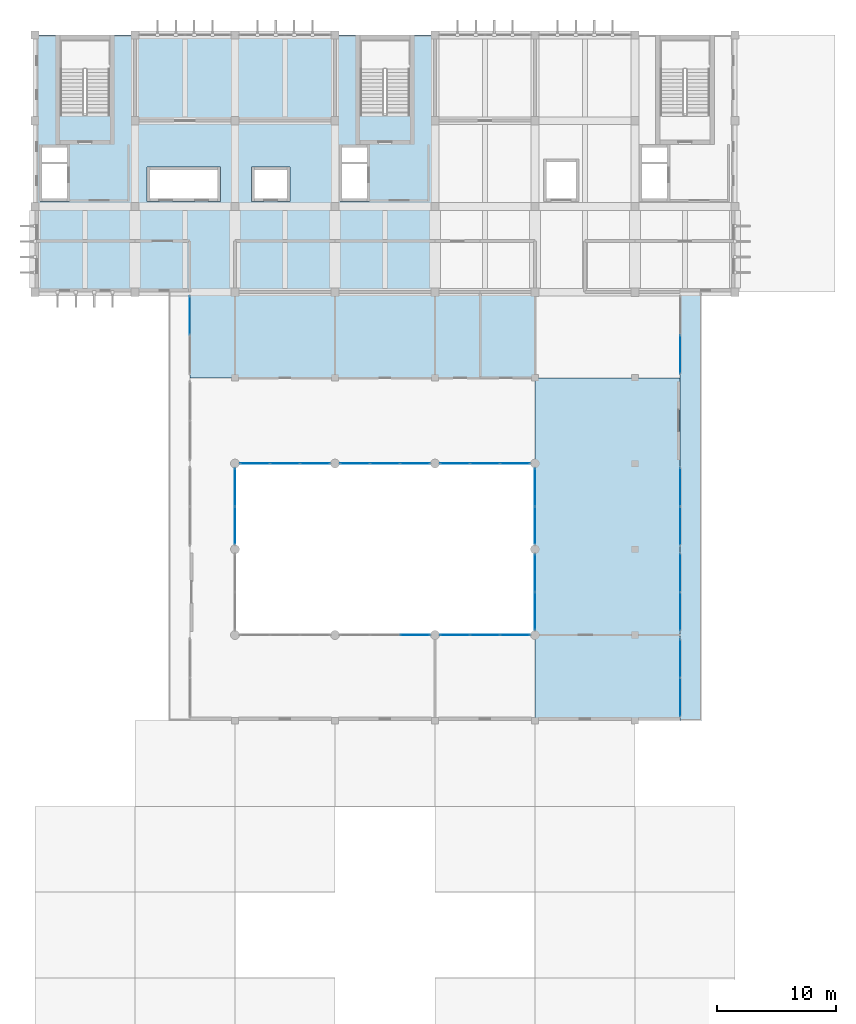
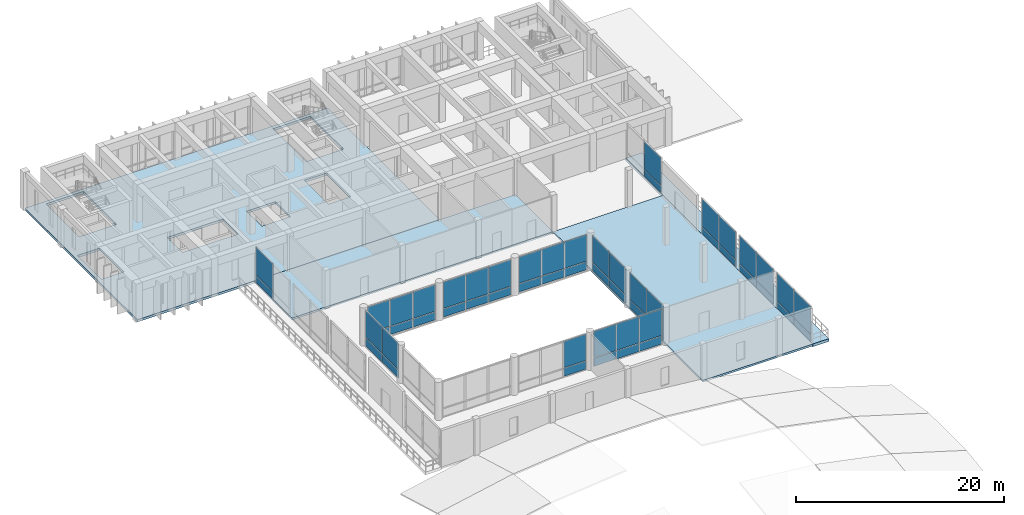
# One storey, part 9 of 17: 54 plates, 4 slabs, 13 elements without a shape of their own.
"""IFC4 building model written with IfcOpenShell, lengths in metres."""

from ifc_helpers import new_model, si_unit, direction, frame, origin, origin_2d, place, context, subcontext, project, spatial, polyline, rectangle, outline, extrude, material, layer, layer_set, type_object, element, aggregate, save


model = new_model("IFC4")

# Units and contexts
model_context = context("Model", 3, precision=1e-05, world=origin(), true_north=direction((0.0, 1.0)))
body_context = subcontext(model_context, "Body", "Model", "MODEL_VIEW")
ifc_project = project(units=[si_unit("LENGTHUNIT", "METRE"), si_unit("AREAUNIT", "SQUARE_METRE"), si_unit("VOLUMEUNIT", "CUBIC_METRE"), si_unit("PLANEANGLEUNIT", "RADIAN"), si_unit("MASSUNIT", "GRAM", prefix="KILO")], contexts=[model_context])

# Site, building, storey
site_placement = place(None, origin())
site = spatial("IfcSite", under=ifc_project, at=site_placement, CompositionType="ELEMENT")
building_placement = place(site_placement, origin())
building = spatial("IfcBuilding", under=site, at=building_placement, Name="Kenerak Square Central Library", CompositionType="ELEMENT")
storey_placement = place(building_placement, frame((0.0, 0.0, 23.360107421875)))
storey = spatial("IfcBuildingStorey", under=building, at=storey_placement, Name="L05", CompositionType="ELEMENT", Elevation=23.360107421875)

# Curtain wall, plates
ifc_material_1 = material(Name="Intumescent fire-resisting glazing EI 60", Category="glass")
curtain_wall_type_1 = type_object("IfcCurtainWallType", Name="Curtain Wall CW-AT60-76x42 7650x4255", PredefinedType="USERDEFINED", material=ifc_material_1)
curtain_wall_1_placement = place(storey_placement, origin())
curtain_wall_1 = element("IfcCurtainWall", 1, at=curtain_wall_1_placement, inside=storey, type_object=curtain_wall_type_1, Name="Atrium Fire-Rated Glazed Screen CW-AT60-76x42 L05 0188", ObjectType="CURTAIN WALL", PredefinedType="USERDEFINED")
ifc_layer_1 = layer(ifc_material_1, 0.0419921875)
ifc_layer_set_1 = layer_set([ifc_layer_1], Name="Intumescent fire-resisting glazing EI 60")
plate_type_1 = type_object("IfcPlateType", Name="Fire-Rated EI60 Atrium Glazing Panel CP-42", PredefinedType="CURTAIN_PANEL", material=ifc_layer_set_1)
plate_1_placement = place(storey_placement, frame((90.33251953125, 60.0, 0.06982421875), z_axis=(0.0, 0.0, 1.0), x_axis=(1.0, 0.0, 0.0)))
plate_1 = element("IfcPlate", 2, at=plate_1_placement, type_object=plate_type_1, Name="CW-AT60-76x42 Panel 3.1", PredefinedType="CURTAIN_PANEL", context=body_context, shape_type="SweptSolid", body=[
    extrude(rectangle(XDim=2.445068359375, YDim=0.0419921875, at=origin_2d()), origin(), (0.0, 0.0, 1.0), 0.945068359375),
])
plate_2_placement = place(storey_placement, frame((90.33251953125, 60.0, 1.0849609375), z_axis=(0.0, 0.0, 1.0), x_axis=(1.0, 0.0, 0.0)))
plate_2 = element("IfcPlate", 3, at=plate_2_placement, type_object=plate_type_1, Name="CW-AT60-76x42 Panel 3.2", PredefinedType="CURTAIN_PANEL", context=body_context, shape_type="SweptSolid", body=[
    extrude(rectangle(XDim=2.445068359375, YDim=0.0419921875, at=origin_2d()), origin(), (0.0, 0.0, 1.0), 3.10009765625),
])
aggregate(curtain_wall_1, [plate_1, plate_2])

curtain_wall_2_placement = place(storey_placement, origin())
curtain_wall_2 = element("IfcCurtainWall", 4, at=curtain_wall_2_placement, inside=storey, type_object=curtain_wall_type_1, Name="Atrium Fire-Rated Glazed Screen CW-AT60-76x42 L05 0189", ObjectType="CURTAIN WALL", PredefinedType="USERDEFINED")
plate_3_placement = place(storey_placement, frame((93.66748046875, 60.0, 0.06982421875), z_axis=(0.0, 0.0, 1.0), x_axis=(1.0, 0.0, 0.0)))
plate_3 = element("IfcPlate", 5, at=plate_3_placement, type_object=plate_type_1, Name="CW-AT60-76x42 Panel 1.1", PredefinedType="CURTAIN_PANEL", context=body_context, shape_type="SweptSolid", body=[
    extrude(rectangle(XDim=2.445068359375, YDim=0.0419921875, at=origin_2d()), origin(), (0.0, 0.0, 1.0), 0.945068359375),
])
plate_4_placement = place(storey_placement, frame((93.66748046875, 60.0, 1.0849609375), z_axis=(0.0, 0.0, 1.0), x_axis=(1.0, 0.0, 0.0)))
plate_4 = element("IfcPlate", 6, at=plate_4_placement, type_object=plate_type_1, Name="CW-AT60-76x42 Panel 1.2", PredefinedType="CURTAIN_PANEL", context=body_context, shape_type="SweptSolid", body=[
    extrude(rectangle(XDim=2.445068359375, YDim=0.0419921875, at=origin_2d()), origin(), (0.0, 0.0, 1.0), 3.10009765625),
])
plate_5_placement = place(storey_placement, frame((96.199951171875, 60.0, 0.06982421875), z_axis=(0.0, 0.0, 1.0), x_axis=(1.0, 0.0, 0.0)))
plate_5 = element("IfcPlate", 7, at=plate_5_placement, type_object=plate_type_1, Name="CW-AT60-76x42 Panel 2.1", PredefinedType="CURTAIN_PANEL", context=body_context, shape_type="SweptSolid", body=[
    extrude(rectangle(XDim=2.47998046875, YDim=0.0419921875, at=origin_2d()), origin(), (0.0, 0.0, 1.0), 0.945068359375),
])
plate_6_placement = place(storey_placement, frame((96.199951171875, 60.0, 1.0849609375), z_axis=(0.0, 0.0, 1.0), x_axis=(1.0, 0.0, 0.0)))
plate_6 = element("IfcPlate", 8, at=plate_6_placement, type_object=plate_type_1, Name="CW-AT60-76x42 Panel 2.2", PredefinedType="CURTAIN_PANEL", context=body_context, shape_type="SweptSolid", body=[
    extrude(rectangle(XDim=2.47998046875, YDim=0.0419921875, at=origin_2d()), origin(), (0.0, 0.0, 1.0), 3.10009765625),
])
plate_7_placement = place(storey_placement, frame((98.732421875, 60.0, 0.06982421875), z_axis=(0.0, 0.0, 1.0), x_axis=(1.0, 0.0, 0.0)))
plate_7 = element("IfcPlate", 9, at=plate_7_placement, type_object=plate_type_1, Name="CW-AT60-76x42 Panel 3.1", PredefinedType="CURTAIN_PANEL", context=body_context, shape_type="SweptSolid", body=[
    extrude(rectangle(XDim=2.445068359375, YDim=0.0419921875, at=origin_2d()), origin(), (0.0, 0.0, 1.0), 0.945068359375),
])
plate_8_placement = place(storey_placement, frame((98.732421875, 60.0, 1.0849609375), z_axis=(0.0, 0.0, 1.0), x_axis=(1.0, 0.0, 0.0)))
plate_8 = element("IfcPlate", 10, at=plate_8_placement, type_object=plate_type_1, Name="CW-AT60-76x42 Panel 3.2", PredefinedType="CURTAIN_PANEL", context=body_context, shape_type="SweptSolid", body=[
    extrude(rectangle(XDim=2.445068359375, YDim=0.0419921875, at=origin_2d()), origin(), (0.0, 0.0, 1.0), 3.10009765625),
])
aggregate(curtain_wall_2, [plate_3, plate_4, plate_5, plate_6, plate_7, plate_8])

curtain_wall_type_2 = type_object("IfcCurtainWallType", Name="Curtain Wall CW-AT60-64x42 6450x4255", PredefinedType="USERDEFINED", material=ifc_material_1)
curtain_wall_3_placement = place(storey_placement, origin())
curtain_wall_3 = element("IfcCurtainWall", 11, at=curtain_wall_3_placement, inside=storey, type_object=curtain_wall_type_2, Name="Atrium Fire-Rated Glazed Screen CW-AT60-64x42 L05 0190", ObjectType="CURTAIN WALL", PredefinedType="USERDEFINED")
plate_9_placement = place(storey_placement, frame((100.39990234375, 62.0048828125, 0.06982421875), z_axis=(0.0, 0.0, 1.0), x_axis=(0.0, 1.0, 0.0)))
plate_9 = element("IfcPlate", 12, at=plate_9_placement, type_object=plate_type_1, Name="CW-AT60-64x42 Panel 1.1", PredefinedType="CURTAIN_PANEL", context=body_context, shape_type="SweptSolid", body=[
    extrude(rectangle(XDim=3.1201171875, YDim=0.0419921875, at=origin_2d()), origin(), (0.0, 0.0, 1.0), 0.945068359375),
])
plate_10_placement = place(storey_placement, frame((100.39990234375, 62.0048828125, 1.0849609375), z_axis=(0.0, 0.0, 1.0), x_axis=(0.0, 1.0, 0.0)))
plate_10 = element("IfcPlate", 13, at=plate_10_placement, type_object=plate_type_1, Name="CW-AT60-64x42 Panel 1.2", PredefinedType="CURTAIN_PANEL", context=body_context, shape_type="SweptSolid", body=[
    extrude(rectangle(XDim=3.1201171875, YDim=0.0419921875, at=origin_2d()), origin(), (0.0, 0.0, 1.0), 3.10009765625),
])
plate_11_placement = place(storey_placement, frame((100.39990234375, 65.195068359375, 0.06982421875), z_axis=(0.0, 0.0, 1.0), x_axis=(0.0, 1.0, 0.0)))
plate_11 = element("IfcPlate", 14, at=plate_11_placement, type_object=plate_type_1, Name="CW-AT60-64x42 Panel 2.1", PredefinedType="CURTAIN_PANEL", context=body_context, shape_type="SweptSolid", body=[
    extrude(rectangle(XDim=3.1201171875, YDim=0.0419921875, at=origin_2d()), origin(), (0.0, 0.0, 1.0), 0.945068359375),
])
plate_12_placement = place(storey_placement, frame((100.39990234375, 65.195068359375, 1.0849609375), z_axis=(0.0, 0.0, 1.0), x_axis=(0.0, 1.0, 0.0)))
plate_12 = element("IfcPlate", 15, at=plate_12_placement, type_object=plate_type_1, Name="CW-AT60-64x42 Panel 2.2", PredefinedType="CURTAIN_PANEL", context=body_context, shape_type="SweptSolid", body=[
    extrude(rectangle(XDim=3.1201171875, YDim=0.0419921875, at=origin_2d()), origin(), (0.0, 0.0, 1.0), 3.10009765625),
])
aggregate(curtain_wall_3, [plate_9, plate_10, plate_11, plate_12])

curtain_wall_4_placement = place(storey_placement, origin())
curtain_wall_4 = element("IfcCurtainWall", 16, at=curtain_wall_4_placement, inside=storey, type_object=curtain_wall_type_2, Name="Atrium Fire-Rated Glazed Screen CW-AT60-64x42 L05 0191", ObjectType="CURTAIN WALL", PredefinedType="USERDEFINED")
plate_13_placement = place(storey_placement, frame((100.39990234375, 69.205078125, 0.06982421875), z_axis=(0.0, 0.0, 1.0), x_axis=(0.0, 1.0, 0.0)))
plate_13 = element("IfcPlate", 17, at=plate_13_placement, type_object=plate_type_1, Name="CW-AT60-64x42 Panel 1.1", PredefinedType="CURTAIN_PANEL", context=body_context, shape_type="SweptSolid", body=[
    extrude(rectangle(XDim=3.1201171875, YDim=0.0419921875, at=origin_2d()), origin(), (0.0, 0.0, 1.0), 0.945068359375),
])
plate_14_placement = place(storey_placement, frame((100.39990234375, 69.205078125, 1.0849609375), z_axis=(0.0, 0.0, 1.0), x_axis=(0.0, 1.0, 0.0)))
plate_14 = element("IfcPlate", 18, at=plate_14_placement, type_object=plate_type_1, Name="CW-AT60-64x42 Panel 1.2", PredefinedType="CURTAIN_PANEL", context=body_context, shape_type="SweptSolid", body=[
    extrude(rectangle(XDim=3.1201171875, YDim=0.0419921875, at=origin_2d()), origin(), (0.0, 0.0, 1.0), 3.10009765625),
])
plate_15_placement = place(storey_placement, frame((100.39990234375, 72.39501953125, 0.06982421875), z_axis=(0.0, 0.0, 1.0), x_axis=(0.0, 1.0, 0.0)))
plate_15 = element("IfcPlate", 19, at=plate_15_placement, type_object=plate_type_1, Name="CW-AT60-64x42 Panel 2.1", PredefinedType="CURTAIN_PANEL", context=body_context, shape_type="SweptSolid", body=[
    extrude(rectangle(XDim=3.1201171875, YDim=0.0419921875, at=origin_2d()), origin(), (0.0, 0.0, 1.0), 0.945068359375),
])
plate_16_placement = place(storey_placement, frame((100.39990234375, 72.39501953125, 1.0849609375), z_axis=(0.0, 0.0, 1.0), x_axis=(0.0, 1.0, 0.0)))
plate_16 = element("IfcPlate", 20, at=plate_16_placement, type_object=plate_type_1, Name="CW-AT60-64x42 Panel 2.2", PredefinedType="CURTAIN_PANEL", context=body_context, shape_type="SweptSolid", body=[
    extrude(rectangle(XDim=3.1201171875, YDim=0.0419921875, at=origin_2d()), origin(), (0.0, 0.0, 1.0), 3.10009765625),
])
aggregate(curtain_wall_4, [plate_13, plate_14, plate_15, plate_16])

curtain_wall_5_placement = place(storey_placement, origin())
curtain_wall_5 = element("IfcCurtainWall", 21, at=curtain_wall_5_placement, inside=storey, type_object=curtain_wall_type_1, Name="Atrium Fire-Rated Glazed Screen CW-AT60-76x42 L05 0192", ObjectType="CURTAIN WALL", PredefinedType="USERDEFINED")
plate_17_placement = place(storey_placement, frame((98.732421875, 74.39990234375, 0.06982421875), z_axis=(0.0, 0.0, 1.0), x_axis=(-1.0, 0.0, 0.0)))
plate_17 = element("IfcPlate", 22, at=plate_17_placement, type_object=plate_type_1, Name="CW-AT60-76x42 Panel 1.1", PredefinedType="CURTAIN_PANEL", context=body_context, shape_type="SweptSolid", body=[
    extrude(rectangle(XDim=2.445068359375, YDim=0.0419921875, at=origin_2d()), origin(), (0.0, 0.0, 1.0), 0.945068359375),
])
plate_18_placement = place(storey_placement, frame((98.732421875, 74.39990234375, 1.0849609375), z_axis=(0.0, 0.0, 1.0), x_axis=(-1.0, 0.0, 0.0)))
plate_18 = element("IfcPlate", 23, at=plate_18_placement, type_object=plate_type_1, Name="CW-AT60-76x42 Panel 1.2", PredefinedType="CURTAIN_PANEL", context=body_context, shape_type="SweptSolid", body=[
    extrude(rectangle(XDim=2.445068359375, YDim=0.0419921875, at=origin_2d()), origin(), (0.0, 0.0, 1.0), 3.10009765625),
])
plate_19_placement = place(storey_placement, frame((96.199951171875, 74.39990234375, 0.06982421875), z_axis=(0.0, 0.0, 1.0), x_axis=(-1.0, 0.0, 0.0)))
plate_19 = element("IfcPlate", 24, at=plate_19_placement, type_object=plate_type_1, Name="CW-AT60-76x42 Panel 2.1", PredefinedType="CURTAIN_PANEL", context=body_context, shape_type="SweptSolid", body=[
    extrude(rectangle(XDim=2.47998046875, YDim=0.0419921875, at=origin_2d()), origin(), (0.0, 0.0, 1.0), 0.945068359375),
])
plate_20_placement = place(storey_placement, frame((96.199951171875, 74.39990234375, 1.0849609375), z_axis=(0.0, 0.0, 1.0), x_axis=(-1.0, 0.0, 0.0)))
plate_20 = element("IfcPlate", 25, at=plate_20_placement, type_object=plate_type_1, Name="CW-AT60-76x42 Panel 2.2", PredefinedType="CURTAIN_PANEL", context=body_context, shape_type="SweptSolid", body=[
    extrude(rectangle(XDim=2.47998046875, YDim=0.0419921875, at=origin_2d()), origin(), (0.0, 0.0, 1.0), 3.10009765625),
])
plate_21_placement = place(storey_placement, frame((93.66748046875, 74.39990234375, 0.06982421875), z_axis=(0.0, 0.0, 1.0), x_axis=(-1.0, 0.0, 0.0)))
plate_21 = element("IfcPlate", 26, at=plate_21_placement, type_object=plate_type_1, Name="CW-AT60-76x42 Panel 3.1", PredefinedType="CURTAIN_PANEL", context=body_context, shape_type="SweptSolid", body=[
    extrude(rectangle(XDim=2.445068359375, YDim=0.0419921875, at=origin_2d()), origin(), (0.0, 0.0, 1.0), 0.945068359375),
])
plate_22_placement = place(storey_placement, frame((93.66748046875, 74.39990234375, 1.0849609375), z_axis=(0.0, 0.0, 1.0), x_axis=(-1.0, 0.0, 0.0)))
plate_22 = element("IfcPlate", 27, at=plate_22_placement, type_object=plate_type_1, Name="CW-AT60-76x42 Panel 3.2", PredefinedType="CURTAIN_PANEL", context=body_context, shape_type="SweptSolid", body=[
    extrude(rectangle(XDim=2.445068359375, YDim=0.0419921875, at=origin_2d()), origin(), (0.0, 0.0, 1.0), 3.10009765625),
])
aggregate(curtain_wall_5, [plate_17, plate_18, plate_19, plate_20, plate_21, plate_22])

curtain_wall_6_placement = place(storey_placement, origin())
curtain_wall_6 = element("IfcCurtainWall", 28, at=curtain_wall_6_placement, inside=storey, type_object=curtain_wall_type_1, Name="Atrium Fire-Rated Glazed Screen CW-AT60-76x42 L05 0193", ObjectType="CURTAIN WALL", PredefinedType="USERDEFINED")
plate_23_placement = place(storey_placement, frame((90.33251953125, 74.39990234375, 0.06982421875), z_axis=(0.0, 0.0, 1.0), x_axis=(-1.0, 0.0, 0.0)))
plate_23 = element("IfcPlate", 29, at=plate_23_placement, type_object=plate_type_1, Name="CW-AT60-76x42 Panel 1.1", PredefinedType="CURTAIN_PANEL", context=body_context, shape_type="SweptSolid", body=[
    extrude(rectangle(XDim=2.445068359375, YDim=0.0419921875, at=origin_2d()), origin(), (0.0, 0.0, 1.0), 0.945068359375),
])
plate_24_placement = place(storey_placement, frame((90.33251953125, 74.39990234375, 1.0849609375), z_axis=(0.0, 0.0, 1.0), x_axis=(-1.0, 0.0, 0.0)))
plate_24 = element("IfcPlate", 30, at=plate_24_placement, type_object=plate_type_1, Name="CW-AT60-76x42 Panel 1.2", PredefinedType="CURTAIN_PANEL", context=body_context, shape_type="SweptSolid", body=[
    extrude(rectangle(XDim=2.445068359375, YDim=0.0419921875, at=origin_2d()), origin(), (0.0, 0.0, 1.0), 3.10009765625),
])
plate_25_placement = place(storey_placement, frame((87.800048828125, 74.39990234375, 0.06982421875), z_axis=(0.0, 0.0, 1.0), x_axis=(-1.0, 0.0, 0.0)))
plate_25 = element("IfcPlate", 31, at=plate_25_placement, type_object=plate_type_1, Name="CW-AT60-76x42 Panel 2.1", PredefinedType="CURTAIN_PANEL", context=body_context, shape_type="SweptSolid", body=[
    extrude(rectangle(XDim=2.47998046875, YDim=0.0419921875, at=origin_2d()), origin(), (0.0, 0.0, 1.0), 0.945068359375),
])
plate_26_placement = place(storey_placement, frame((87.800048828125, 74.39990234375, 1.0849609375), z_axis=(0.0, 0.0, 1.0), x_axis=(-1.0, 0.0, 0.0)))
plate_26 = element("IfcPlate", 32, at=plate_26_placement, type_object=plate_type_1, Name="CW-AT60-76x42 Panel 2.2", PredefinedType="CURTAIN_PANEL", context=body_context, shape_type="SweptSolid", body=[
    extrude(rectangle(XDim=2.47998046875, YDim=0.0419921875, at=origin_2d()), origin(), (0.0, 0.0, 1.0), 3.10009765625),
])
plate_27_placement = place(storey_placement, frame((85.267578125, 74.39990234375, 0.06982421875), z_axis=(0.0, 0.0, 1.0), x_axis=(-1.0, 0.0, 0.0)))
plate_27 = element("IfcPlate", 33, at=plate_27_placement, type_object=plate_type_1, Name="CW-AT60-76x42 Panel 3.1", PredefinedType="CURTAIN_PANEL", context=body_context, shape_type="SweptSolid", body=[
    extrude(rectangle(XDim=2.445068359375, YDim=0.0419921875, at=origin_2d()), origin(), (0.0, 0.0, 1.0), 0.945068359375),
])
plate_28_placement = place(storey_placement, frame((85.267578125, 74.39990234375, 1.0849609375), z_axis=(0.0, 0.0, 1.0), x_axis=(-1.0, 0.0, 0.0)))
plate_28 = element("IfcPlate", 34, at=plate_28_placement, type_object=plate_type_1, Name="CW-AT60-76x42 Panel 3.2", PredefinedType="CURTAIN_PANEL", context=body_context, shape_type="SweptSolid", body=[
    extrude(rectangle(XDim=2.445068359375, YDim=0.0419921875, at=origin_2d()), origin(), (0.0, 0.0, 1.0), 3.10009765625),
])
aggregate(curtain_wall_6, [plate_23, plate_24, plate_25, plate_26, plate_27, plate_28])

curtain_wall_7_placement = place(storey_placement, origin())
curtain_wall_7 = element("IfcCurtainWall", 35, at=curtain_wall_7_placement, inside=storey, type_object=curtain_wall_type_1, Name="Atrium Fire-Rated Glazed Screen CW-AT60-76x42 L05 0194", ObjectType="CURTAIN WALL", PredefinedType="USERDEFINED")
plate_29_placement = place(storey_placement, frame((81.9326171875, 74.39990234375, 0.06982421875), z_axis=(0.0, 0.0, 1.0), x_axis=(-1.0, 0.0, 0.0)))
plate_29 = element("IfcPlate", 36, at=plate_29_placement, type_object=plate_type_1, Name="CW-AT60-76x42 Panel 1.1", PredefinedType="CURTAIN_PANEL", context=body_context, shape_type="SweptSolid", body=[
    extrude(rectangle(XDim=2.445068359375, YDim=0.0419921875, at=origin_2d()), origin(), (0.0, 0.0, 1.0), 0.945068359375),
])
plate_30_placement = place(storey_placement, frame((81.9326171875, 74.39990234375, 1.0849609375), z_axis=(0.0, 0.0, 1.0), x_axis=(-1.0, 0.0, 0.0)))
plate_30 = element("IfcPlate", 37, at=plate_30_placement, type_object=plate_type_1, Name="CW-AT60-76x42 Panel 1.2", PredefinedType="CURTAIN_PANEL", context=body_context, shape_type="SweptSolid", body=[
    extrude(rectangle(XDim=2.445068359375, YDim=0.0419921875, at=origin_2d()), origin(), (0.0, 0.0, 1.0), 3.10009765625),
])
plate_31_placement = place(storey_placement, frame((79.39990234375, 74.39990234375, 0.06982421875), z_axis=(0.0, 0.0, 1.0), x_axis=(-1.0, 0.0, 0.0)))
plate_31 = element("IfcPlate", 38, at=plate_31_placement, type_object=plate_type_1, Name="CW-AT60-76x42 Panel 2.1", PredefinedType="CURTAIN_PANEL", context=body_context, shape_type="SweptSolid", body=[
    extrude(rectangle(XDim=2.47998046875, YDim=0.0419921875, at=origin_2d()), origin(), (0.0, 0.0, 1.0), 0.945068359375),
])
plate_32_placement = place(storey_placement, frame((79.39990234375, 74.39990234375, 1.0849609375), z_axis=(0.0, 0.0, 1.0), x_axis=(-1.0, 0.0, 0.0)))
plate_32 = element("IfcPlate", 39, at=plate_32_placement, type_object=plate_type_1, Name="CW-AT60-76x42 Panel 2.2", PredefinedType="CURTAIN_PANEL", context=body_context, shape_type="SweptSolid", body=[
    extrude(rectangle(XDim=2.47998046875, YDim=0.0419921875, at=origin_2d()), origin(), (0.0, 0.0, 1.0), 3.10009765625),
])
plate_33_placement = place(storey_placement, frame((76.867431640625, 74.39990234375, 0.06982421875), z_axis=(0.0, 0.0, 1.0), x_axis=(-1.0, 0.0, 0.0)))
plate_33 = element("IfcPlate", 40, at=plate_33_placement, type_object=plate_type_1, Name="CW-AT60-76x42 Panel 3.1", PredefinedType="CURTAIN_PANEL", context=body_context, shape_type="SweptSolid", body=[
    extrude(rectangle(XDim=2.445068359375, YDim=0.0419921875, at=origin_2d()), origin(), (0.0, 0.0, 1.0), 0.945068359375),
])
plate_34_placement = place(storey_placement, frame((76.867431640625, 74.39990234375, 1.0849609375), z_axis=(0.0, 0.0, 1.0), x_axis=(-1.0, 0.0, 0.0)))
plate_34 = element("IfcPlate", 41, at=plate_34_placement, type_object=plate_type_1, Name="CW-AT60-76x42 Panel 3.2", PredefinedType="CURTAIN_PANEL", context=body_context, shape_type="SweptSolid", body=[
    extrude(rectangle(XDim=2.445068359375, YDim=0.0419921875, at=origin_2d()), origin(), (0.0, 0.0, 1.0), 3.10009765625),
])
aggregate(curtain_wall_7, [plate_29, plate_30, plate_31, plate_32, plate_33, plate_34])

curtain_wall_8_placement = place(storey_placement, origin())
curtain_wall_8 = element("IfcCurtainWall", 42, at=curtain_wall_8_placement, inside=storey, type_object=curtain_wall_type_2, Name="Atrium Fire-Rated Glazed Screen CW-AT60-64x42 L05 0195", ObjectType="CURTAIN WALL", PredefinedType="USERDEFINED")
plate_35_placement = place(storey_placement, frame((75.199951171875, 72.39501953125, 0.06982421875), z_axis=(0.0, 0.0, 1.0), x_axis=(0.0, -1.0, 0.0)))
plate_35 = element("IfcPlate", 43, at=plate_35_placement, type_object=plate_type_1, Name="CW-AT60-64x42 Panel 1.1", PredefinedType="CURTAIN_PANEL", context=body_context, shape_type="SweptSolid", body=[
    extrude(rectangle(XDim=3.1201171875, YDim=0.0419921875, at=origin_2d()), origin(), (0.0, 0.0, 1.0), 0.945068359375),
])
plate_36_placement = place(storey_placement, frame((75.199951171875, 72.39501953125, 1.0849609375), z_axis=(0.0, 0.0, 1.0), x_axis=(0.0, -1.0, 0.0)))
plate_36 = element("IfcPlate", 44, at=plate_36_placement, type_object=plate_type_1, Name="CW-AT60-64x42 Panel 1.2", PredefinedType="CURTAIN_PANEL", context=body_context, shape_type="SweptSolid", body=[
    extrude(rectangle(XDim=3.1201171875, YDim=0.0419921875, at=origin_2d()), origin(), (0.0, 0.0, 1.0), 3.10009765625),
])
plate_37_placement = place(storey_placement, frame((75.199951171875, 69.205078125, 0.06982421875), z_axis=(0.0, 0.0, 1.0), x_axis=(0.0, -1.0, 0.0)))
plate_37 = element("IfcPlate", 45, at=plate_37_placement, type_object=plate_type_1, Name="CW-AT60-64x42 Panel 2.1", PredefinedType="CURTAIN_PANEL", context=body_context, shape_type="SweptSolid", body=[
    extrude(rectangle(XDim=3.1201171875, YDim=0.0419921875, at=origin_2d()), origin(), (0.0, 0.0, 1.0), 0.945068359375),
])
plate_38_placement = place(storey_placement, frame((75.199951171875, 69.205078125, 1.0849609375), z_axis=(0.0, 0.0, 1.0), x_axis=(0.0, -1.0, 0.0)))
plate_38 = element("IfcPlate", 46, at=plate_38_placement, type_object=plate_type_1, Name="CW-AT60-64x42 Panel 2.2", PredefinedType="CURTAIN_PANEL", context=body_context, shape_type="SweptSolid", body=[
    extrude(rectangle(XDim=3.1201171875, YDim=0.0419921875, at=origin_2d()), origin(), (0.0, 0.0, 1.0), 3.10009765625),
])
aggregate(curtain_wall_8, [plate_35, plate_36, plate_37, plate_38])

# Slabs
ifc_material_2 = material(Name="Concrete C40/50", Category="concrete")
ifc_layer_2 = layer(ifc_material_2, 0.22509765625)
ifc_layer_set_2 = layer_set([ifc_layer_2], Name="Concrete C40/50")
slab_type_1 = type_object("IfcSlabType", Name="General Reading Room Slab FS-225 C40/50", PredefinedType="FLOOR", material=ifc_layer_set_2)
slab_1_placement = place(storey_placement, frame((0.0, 0.0, -0.22509765625)))
element("IfcSlab", 47, at=slab_1_placement, inside=storey, type_object=slab_type_1, Name="V4 Floor Slab L05 057", PredefinedType="FLOOR", context=body_context, shape_type="SweptSolid", body=[
    extrude(outline(polyline([(71.39990234375, 81.60009765625), (71.39990234375, 88.800048828125), (100.39990234375, 88.800048828125), (100.39990234375, 81.60009765625), (71.39990234375, 81.60009765625)])), origin(), (0.0, 0.0, 1.0), 0.22509765625),
])
slab_2_placement = place(storey_placement, frame((0.0, 0.0, -0.22509765625)))
element("IfcSlab", 48, at=slab_2_placement, inside=storey, type_object=slab_type_1, Name="V4 Floor Slab L05 058", PredefinedType="FLOOR", context=body_context, shape_type="SweptSolid", body=[
    extrude(outline(polyline([(100.39990234375, 81.60009765625), (112.60009765625, 81.60009765625), (112.60009765625, 52.800048828125), (100.39990234375, 52.800048828125), (100.39990234375, 60.0), (100.39990234375, 74.39990234375), (100.39990234375, 81.60009765625)])), origin(), (0.0, 0.0, 1.0), 0.22509765625),
])

# Curtain wall, plates
ifc_material_3 = material(Name="Anodised aluminium and solar-control low-E glazing", Category="aluminium")
curtain_wall_type_3 = type_object("IfcCurtainWallType", Name="Curtain Wall CW-V4-66x42 6600x4255", PredefinedType="USERDEFINED", material=ifc_material_3)
curtain_wall_9_placement = place(storey_placement, origin())
curtain_wall_9 = element("IfcCurtainWall", 49, at=curtain_wall_9_placement, inside=storey, type_object=curtain_wall_type_3, Name="Curtain Wall CW-V4-66x42 L05 0154", ObjectType="CURTAIN WALL", PredefinedType="USERDEFINED")
ifc_material_4 = material(Name="Solar-control low-E laminated double glazing", Category="glass")
ifc_layer_3 = layer(ifc_material_4, 0.02392578125)
ifc_layer_set_3 = layer_set([ifc_layer_3], Name="Solar-control low-E laminated double glazing")
plate_type_2 = type_object("IfcPlateType", Name="Low-E Double Glazed Curtain Panel CP-24", PredefinedType="CURTAIN_PANEL", material=ifc_layer_set_3)
plate_39_placement = place(storey_placement, frame((71.39990234375, 86.833740234375, 0.06494140625), z_axis=(0.0, 0.0, 1.0), x_axis=(0.0, 1.0, 0.0)))
plate_39 = element("IfcPlate", 50, at=plate_39_placement, type_object=plate_type_2, Name="CW-V4-66x42 Panel 2.1", PredefinedType="CURTAIN_PANEL", context=body_context, shape_type="SweptSolid", body=[
    extrude(rectangle(XDim=3.202392578125, YDim=0.02392578125, at=origin_2d()), origin(), (0.0, 0.0, 1.0), 0.802490234375),
])
plate_40_placement = place(storey_placement, frame((71.39990234375, 86.833740234375, 0.93212890625), z_axis=(0.0, 0.0, 1.0), x_axis=(0.0, 1.0, 0.0)))
plate_40 = element("IfcPlate", 51, at=plate_40_placement, type_object=plate_type_2, Name="CW-V4-66x42 Panel 2.2", PredefinedType="CURTAIN_PANEL", context=body_context, shape_type="SweptSolid", body=[
    extrude(rectangle(XDim=3.202392578125, YDim=0.02392578125, at=origin_2d()), origin(), (0.0, 0.0, 1.0), 3.257568359375),
])
aggregate(curtain_wall_9, [plate_39, plate_40])

curtain_wall_10_placement = place(storey_placement, origin())
curtain_wall_10 = element("IfcCurtainWall", 52, at=curtain_wall_10_placement, inside=storey, type_object=curtain_wall_type_3, Name="Curtain Wall CW-V4-66x42 L05 0159", ObjectType="CURTAIN WALL", PredefinedType="USERDEFINED")
plate_41_placement = place(storey_placement, frame((112.60009765625, 83.566162109375, 0.06494140625), z_axis=(0.0, 0.0, 1.0), x_axis=(0.0, -1.0, 0.0)))
plate_41 = element("IfcPlate", 53, at=plate_41_placement, type_object=plate_type_2, Name="CW-V4-66x42 Panel 2.1", PredefinedType="CURTAIN_PANEL", context=body_context, shape_type="SweptSolid", body=[
    extrude(rectangle(XDim=3.202392578125, YDim=0.02392578125, at=origin_2d()), origin(), (0.0, 0.0, 1.0), 0.802490234375),
])
plate_42_placement = place(storey_placement, frame((112.60009765625, 83.566162109375, 0.93212890625), z_axis=(0.0, 0.0, 1.0), x_axis=(0.0, -1.0, 0.0)))
plate_42 = element("IfcPlate", 54, at=plate_42_placement, type_object=plate_type_2, Name="CW-V4-66x42 Panel 2.2", PredefinedType="CURTAIN_PANEL", context=body_context, shape_type="SweptSolid", body=[
    extrude(rectangle(XDim=3.202392578125, YDim=0.02392578125, at=origin_2d()), origin(), (0.0, 0.0, 1.0), 3.257568359375),
])
aggregate(curtain_wall_10, [plate_41, plate_42])

curtain_wall_11_placement = place(storey_placement, origin())
curtain_wall_11 = element("IfcCurtainWall", 55, at=curtain_wall_11_placement, inside=storey, type_object=curtain_wall_type_3, Name="Curtain Wall CW-V4-66x42 L05 0160", ObjectType="CURTAIN WALL", PredefinedType="USERDEFINED")
plate_43_placement = place(storey_placement, frame((112.60009765625, 72.433837890625, 0.06494140625), z_axis=(0.0, 0.0, 1.0), x_axis=(0.0, -1.0, 0.0)))
plate_43 = element("IfcPlate", 56, at=plate_43_placement, type_object=plate_type_2, Name="CW-V4-66x42 Panel 1.1", PredefinedType="CURTAIN_PANEL", context=body_context, shape_type="SweptSolid", body=[
    extrude(rectangle(XDim=3.202392578125, YDim=0.02392578125, at=origin_2d()), origin(), (0.0, 0.0, 1.0), 0.802490234375),
])
plate_44_placement = place(storey_placement, frame((112.60009765625, 72.433837890625, 0.93212890625), z_axis=(0.0, 0.0, 1.0), x_axis=(0.0, -1.0, 0.0)))
plate_44 = element("IfcPlate", 57, at=plate_44_placement, type_object=plate_type_2, Name="CW-V4-66x42 Panel 1.2", PredefinedType="CURTAIN_PANEL", context=body_context, shape_type="SweptSolid", body=[
    extrude(rectangle(XDim=3.202392578125, YDim=0.02392578125, at=origin_2d()), origin(), (0.0, 0.0, 1.0), 3.257568359375),
])
plate_45_placement = place(storey_placement, frame((112.60009765625, 69.166259765625, 0.06494140625), z_axis=(0.0, 0.0, 1.0), x_axis=(0.0, -1.0, 0.0)))
plate_45 = element("IfcPlate", 58, at=plate_45_placement, type_object=plate_type_2, Name="CW-V4-66x42 Panel 2.1", PredefinedType="CURTAIN_PANEL", context=body_context, shape_type="SweptSolid", body=[
    extrude(rectangle(XDim=3.202392578125, YDim=0.02392578125, at=origin_2d()), origin(), (0.0, 0.0, 1.0), 0.802490234375),
])
plate_46_placement = place(storey_placement, frame((112.60009765625, 69.166259765625, 0.93212890625), z_axis=(0.0, 0.0, 1.0), x_axis=(0.0, -1.0, 0.0)))
plate_46 = element("IfcPlate", 59, at=plate_46_placement, type_object=plate_type_2, Name="CW-V4-66x42 Panel 2.2", PredefinedType="CURTAIN_PANEL", context=body_context, shape_type="SweptSolid", body=[
    extrude(rectangle(XDim=3.202392578125, YDim=0.02392578125, at=origin_2d()), origin(), (0.0, 0.0, 1.0), 3.257568359375),
])
aggregate(curtain_wall_11, [plate_43, plate_44, plate_45, plate_46])

curtain_wall_12_placement = place(storey_placement, origin())
curtain_wall_12 = element("IfcCurtainWall", 60, at=curtain_wall_12_placement, inside=storey, type_object=curtain_wall_type_3, Name="Curtain Wall CW-V4-66x42 L05 0161", ObjectType="CURTAIN WALL", PredefinedType="USERDEFINED")
plate_47_placement = place(storey_placement, frame((112.60009765625, 65.233642578125, 0.06494140625), z_axis=(0.0, 0.0, 1.0), x_axis=(0.0, -1.0, 0.0)))
plate_47 = element("IfcPlate", 61, at=plate_47_placement, type_object=plate_type_2, Name="CW-V4-66x42 Panel 1.1", PredefinedType="CURTAIN_PANEL", context=body_context, shape_type="SweptSolid", body=[
    extrude(rectangle(XDim=3.202392578125, YDim=0.02392578125, at=origin_2d()), origin(), (0.0, 0.0, 1.0), 0.802490234375),
])
plate_48_placement = place(storey_placement, frame((112.60009765625, 65.233642578125, 0.93212890625), z_axis=(0.0, 0.0, 1.0), x_axis=(0.0, -1.0, 0.0)))
plate_48 = element("IfcPlate", 62, at=plate_48_placement, type_object=plate_type_2, Name="CW-V4-66x42 Panel 1.2", PredefinedType="CURTAIN_PANEL", context=body_context, shape_type="SweptSolid", body=[
    extrude(rectangle(XDim=3.202392578125, YDim=0.02392578125, at=origin_2d()), origin(), (0.0, 0.0, 1.0), 3.257568359375),
])
plate_49_placement = place(storey_placement, frame((112.60009765625, 61.96630859375, 0.06494140625), z_axis=(0.0, 0.0, 1.0), x_axis=(0.0, -1.0, 0.0)))
plate_49 = element("IfcPlate", 63, at=plate_49_placement, type_object=plate_type_2, Name="CW-V4-66x42 Panel 2.1", PredefinedType="CURTAIN_PANEL", context=body_context, shape_type="SweptSolid", body=[
    extrude(rectangle(XDim=3.202392578125, YDim=0.02392578125, at=origin_2d()), origin(), (0.0, 0.0, 1.0), 0.802490234375),
])
plate_50_placement = place(storey_placement, frame((112.60009765625, 61.96630859375, 0.93212890625), z_axis=(0.0, 0.0, 1.0), x_axis=(0.0, -1.0, 0.0)))
plate_50 = element("IfcPlate", 64, at=plate_50_placement, type_object=plate_type_2, Name="CW-V4-66x42 Panel 2.2", PredefinedType="CURTAIN_PANEL", context=body_context, shape_type="SweptSolid", body=[
    extrude(rectangle(XDim=3.202392578125, YDim=0.02392578125, at=origin_2d()), origin(), (0.0, 0.0, 1.0), 3.257568359375),
])
aggregate(curtain_wall_12, [plate_47, plate_48, plate_49, plate_50])

curtain_wall_13_placement = place(storey_placement, origin())
curtain_wall_13 = element("IfcCurtainWall", 65, at=curtain_wall_13_placement, inside=storey, type_object=curtain_wall_type_3, Name="Curtain Wall CW-V4-66x42 L05 0162", ObjectType="CURTAIN WALL", PredefinedType="USERDEFINED")
plate_51_placement = place(storey_placement, frame((112.60009765625, 58.03369140625, 0.06494140625), z_axis=(0.0, 0.0, 1.0), x_axis=(0.0, -1.0, 0.0)))
plate_51 = element("IfcPlate", 66, at=plate_51_placement, type_object=plate_type_2, Name="CW-V4-66x42 Panel 1.1", PredefinedType="CURTAIN_PANEL", context=body_context, shape_type="SweptSolid", body=[
    extrude(rectangle(XDim=3.202392578125, YDim=0.02392578125, at=origin_2d()), origin(), (0.0, 0.0, 1.0), 0.802490234375),
])
plate_52_placement = place(storey_placement, frame((112.60009765625, 58.03369140625, 0.93212890625), z_axis=(0.0, 0.0, 1.0), x_axis=(0.0, -1.0, 0.0)))
plate_52 = element("IfcPlate", 67, at=plate_52_placement, type_object=plate_type_2, Name="CW-V4-66x42 Panel 1.2", PredefinedType="CURTAIN_PANEL", context=body_context, shape_type="SweptSolid", body=[
    extrude(rectangle(XDim=3.202392578125, YDim=0.02392578125, at=origin_2d()), origin(), (0.0, 0.0, 1.0), 3.257568359375),
])
plate_53_placement = place(storey_placement, frame((112.60009765625, 54.766357421875, 0.06494140625), z_axis=(0.0, 0.0, 1.0), x_axis=(0.0, -1.0, 0.0)))
plate_53 = element("IfcPlate", 68, at=plate_53_placement, type_object=plate_type_2, Name="CW-V4-66x42 Panel 2.1", PredefinedType="CURTAIN_PANEL", context=body_context, shape_type="SweptSolid", body=[
    extrude(rectangle(XDim=3.202392578125, YDim=0.02392578125, at=origin_2d()), origin(), (0.0, 0.0, 1.0), 0.802490234375),
])
plate_54_placement = place(storey_placement, frame((112.60009765625, 54.766357421875, 0.93212890625), z_axis=(0.0, 0.0, 1.0), x_axis=(0.0, -1.0, 0.0)))
plate_54 = element("IfcPlate", 69, at=plate_54_placement, type_object=plate_type_2, Name="CW-V4-66x42 Panel 2.2", PredefinedType="CURTAIN_PANEL", context=body_context, shape_type="SweptSolid", body=[
    extrude(rectangle(XDim=3.202392578125, YDim=0.02392578125, at=origin_2d()), origin(), (0.0, 0.0, 1.0), 3.257568359375),
])
aggregate(curtain_wall_13, [plate_51, plate_52, plate_53, plate_54])

# Slabs
ifc_layer_4 = layer(ifc_material_2, 0.27490234375)
ifc_layer_set_4 = layer_set([ifc_layer_4], Name="Concrete C40/50")
slab_type_2 = type_object("IfcSlabType", Name="Open Book-Stack Slab FS-275 C40/50", PredefinedType="FLOOR", material=ifc_layer_set_4)
slab_3_placement = place(storey_placement, frame((0.0, 0.0, -0.275146484375)))
element("IfcSlab", 70, at=slab_3_placement, inside=storey, type_object=slab_type_2, Name="V5 Floor Slab L05 093", PredefinedType="FLOOR", context=body_context, shape_type="SweptSolid", body=[
    extrude(outline(polyline([(58.39990234375, 88.800048828125), (58.39990234375, 110.39990234375), (92.0, 110.39990234375), (92.0, 88.800048828125), (58.39990234375, 88.800048828125)]), holes=[polyline([(64.679931640625, 103.64990234375), (64.679931640625, 110.0), (60.52001953125, 110.0), (60.52001953125, 103.64990234375), (64.679931640625, 103.64990234375)]), polyline([(89.8798828125, 103.64990234375), (89.8798828125, 110.0), (85.719970703125, 110.0), (85.719970703125, 103.64990234375), (89.8798828125, 103.64990234375)]), polyline([(67.800048828125, 96.39990234375), (74.0, 96.39990234375), (74.0, 99.300048828125), (67.800048828125, 99.300048828125), (67.800048828125, 96.39990234375)]), polyline([(76.60009765625, 96.39990234375), (79.800048828125, 96.39990234375), (79.800048828125, 99.300048828125), (76.60009765625, 99.300048828125), (76.60009765625, 96.39990234375)]), polyline([(58.800048828125, 96.39990234375), (61.300048828125, 96.39990234375), (61.300048828125, 101.0), (58.800048828125, 101.0), (58.800048828125, 96.39990234375)]), polyline([(84.0, 96.39990234375), (86.5, 96.39990234375), (86.5, 101.0), (84.0, 101.0), (84.0, 96.39990234375)])]), origin(), (0.0, 0.0, 1.0), 0.275146484375),
])
ifc_layer_5 = layer(ifc_material_2, 0.324951171875)
ifc_layer_set_5 = layer_set([ifc_layer_5], Name="Concrete C40/50")
slab_type_3 = type_object("IfcSlabType", Name="Planted Reading Terrace Slab TS-325 C40/50", PredefinedType="FLOOR", material=ifc_layer_set_5)
slab_4_placement = place(storey_placement, frame((0.0, 0.0, -0.3251953125)))
element("IfcSlab", 71, at=slab_4_placement, inside=storey, type_object=slab_type_3, Name="Upper East Reading Terrace L05", PredefinedType="FLOOR", context=body_context, shape_type="SweptSolid", body=[
    extrude(outline(polyline([(112.60009765625, 52.800048828125), (114.39990234375, 52.800048828125), (114.39990234375, 88.800048828125), (112.60009765625, 88.800048828125), (112.60009765625, 52.800048828125)])), origin(), (0.0, 0.0, 1.0), 0.3251953125),
])

save(model, "model.ifc")
